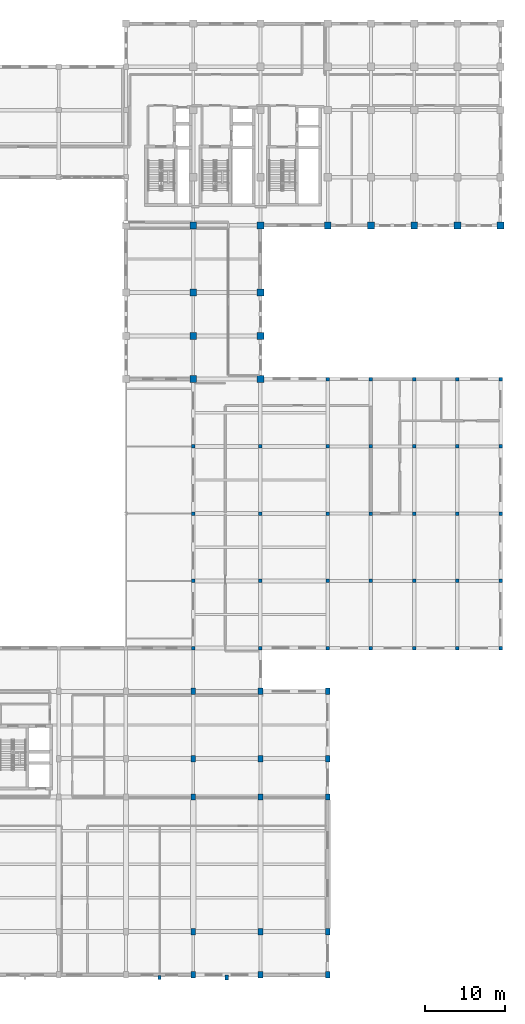
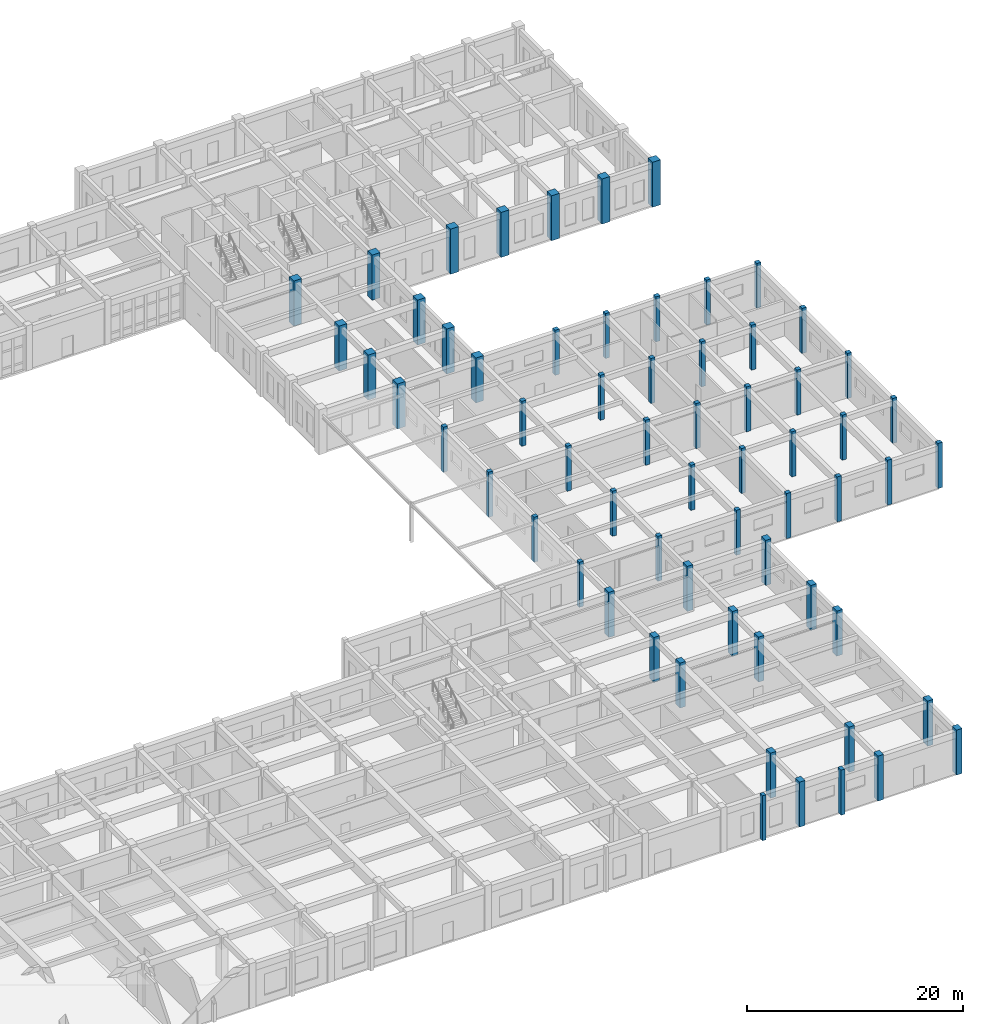
# One storey, part 14 of 80: 63 columns.
"""IFC4 building model written with IfcOpenShell, lengths in metres."""

from ifc_helpers import new_model, si_unit, direction, frame, origin, origin_2d, place, context, subcontext, project, spatial, rectangle, extrude, material, material_profile, profile_set, type_object, element, save


model = new_model("IFC4")

# Units and contexts
model_context = context("Model", 3, precision=1e-05, world=origin(), true_north=direction((0.0, 1.0)))
body_context = subcontext(model_context, "Body", "Model", "MODEL_VIEW")
ifc_project = project(units=[si_unit("LENGTHUNIT", "METRE"), si_unit("AREAUNIT", "SQUARE_METRE"), si_unit("VOLUMEUNIT", "CUBIC_METRE"), si_unit("PLANEANGLEUNIT", "RADIAN"), si_unit("MASSUNIT", "GRAM", prefix="KILO")], contexts=[model_context])

# Site, building, storey
site_placement = place(None, origin())
site = spatial("IfcSite", under=ifc_project, at=site_placement, CompositionType="ELEMENT")
building_placement = place(site_placement, origin())
building = spatial("IfcBuilding", under=site, at=building_placement, Name="Krzemoval Escarpment Law Courts", CompositionType="ELEMENT")
storey_placement = place(building_placement, origin())
storey = spatial("IfcBuildingStorey", under=building, at=storey_placement, Name="L00", CompositionType="ELEMENT", Elevation=0.0)

# Columns
ifc_material_1 = material(Name="Concrete C40/50", Category="concrete")
ifc_material_profile_1 = material_profile(ifc_material_1, rectangle(XDim=0.449951171875, YDim=0.449951171875, at=origin_2d()), Name="RC 450x450")
ifc_profile_set_1 = profile_set([ifc_material_profile_1], Name="Concrete C40/50")
column_type_1 = type_object("IfcColumnType", Name="COL-RC-450", PredefinedType="COLUMN", material=ifc_profile_set_1)
for number, where, z_axis, x_axis, name in (
    (1, (134.39990234375, 40.800048828125, 0.0), (0.0, 0.0, 1.0), (1.0, 0.0, 0.0), "Column FC-L00-0459"),
    (2, (134.39990234375, 49.199951171875, 0.0), (0.0, 0.0, 1.0), (1.0, 0.0, 0.0), "Column FC-L00-0460"),
    (3, (134.39990234375, 57.60009765625, 0.0), (0.0, 0.0, 1.0), (1.0, 0.0, 0.0), "Column FC-L00-0461"),
    (4, (134.39990234375, 66.0, 0.0), (0.0, 0.0, 1.0), (1.0, 0.0, 0.0), "Column FC-L00-0462"),
    (5, (142.800048828125, 40.800048828125, 0.0), (0.0, 0.0, 1.0), (1.0, 0.0, 0.0), "Column FC-L00-0476"),
    (6, (142.800048828125, 49.199951171875, 0.0), (0.0, 0.0, 1.0), (1.0, 0.0, 0.0), "Column FC-L00-0477"),
    (7, (142.800048828125, 57.60009765625, 0.0), (0.0, 0.0, 1.0), (1.0, 0.0, 0.0), "Column FC-L00-0478"),
    (8, (142.800048828125, 66.0, 0.0), (0.0, 0.0, 1.0), (1.0, 0.0, 0.0), "Column FC-L00-0479"),
    (9, (151.199951171875, 40.800048828125, 0.0), (0.0, 0.0, 1.0), (1.0, 0.0, 0.0), "Column FC-L00-0493"),
    (10, (151.199951171875, 49.199951171875, 0.0), (0.0, 0.0, 1.0), (1.0, 0.0, 0.0), "Column FC-L00-0494"),
    (11, (151.199951171875, 57.60009765625, 0.0), (0.0, 0.0, 1.0), (1.0, 0.0, 0.0), "Column FC-L00-0495"),
    (12, (151.199951171875, 66.0, 0.0), (0.0, 0.0, 1.0), (1.0, 0.0, 0.0), "Column FC-L00-0496"),
    (13, (151.199951171875, 74.39990234375, 0.0), (0.0, 0.0, 1.0), (1.0, 0.0, 0.0), "Column FC-L00-0497"),
    (14, (156.60009765625, 40.800048828125, 0.0), (0.0, 0.0, 1.0), (1.0, 0.0, 0.0), "Column FC-L00-0503"),
    (15, (156.60009765625, 49.199951171875, 0.0), (0.0, 0.0, 1.0), (1.0, 0.0, 0.0), "Column FC-L00-0504"),
    (16, (156.60009765625, 57.60009765625, 0.0), (0.0, 0.0, 1.0), (1.0, 0.0, 0.0), "Column FC-L00-0505"),
    (17, (156.60009765625, 66.0, 0.0), (0.0, 0.0, 1.0), (1.0, 0.0, 0.0), "Column FC-L00-0506"),
    (18, (156.60009765625, 74.39990234375, 0.0), (0.0, 0.0, 1.0), (1.0, 0.0, 0.0), "Column FC-L00-0507"),
    (19, (162.0, 40.800048828125, 0.0), (0.0, 0.0, 1.0), (1.0, 0.0, 0.0), "Column FC-L00-0513"),
    (20, (162.0, 49.199951171875, 0.0), (0.0, 0.0, 1.0), (1.0, 0.0, 0.0), "Column FC-L00-0514"),
    (21, (162.0, 57.60009765625, 0.0), (0.0, 0.0, 1.0), (1.0, 0.0, 0.0), "Column FC-L00-0515"),
    (22, (162.0, 66.0, 0.0), (0.0, 0.0, 1.0), (1.0, 0.0, 0.0), "Column FC-L00-0516"),
    (23, (162.0, 74.39990234375, 0.0), (0.0, 0.0, 1.0), (1.0, 0.0, 0.0), "Column FC-L00-0517"),
    (24, (167.39990234375, 40.800048828125, 0.0), (0.0, 0.0, 1.0), (1.0, 0.0, 0.0), "Column FC-L00-0523"),
    (25, (167.39990234375, 49.199951171875, 0.0), (0.0, 0.0, 1.0), (1.0, 0.0, 0.0), "Column FC-L00-0524"),
    (26, (167.39990234375, 57.60009765625, 0.0), (0.0, 0.0, 1.0), (1.0, 0.0, 0.0), "Column FC-L00-0525"),
    (27, (167.39990234375, 66.0, 0.0), (0.0, 0.0, 1.0), (1.0, 0.0, 0.0), "Column FC-L00-0526"),
    (28, (167.39990234375, 74.39990234375, 0.0), (0.0, 0.0, 1.0), (1.0, 0.0, 0.0), "Column FC-L00-0527"),
    (29, (172.800048828125, 40.800048828125, 0.0), (0.0, 0.0, 1.0), (1.0, 0.0, 0.0), "Column FC-L00-0533"),
    (30, (172.800048828125, 49.199951171875, 0.0), (0.0, 0.0, 1.0), (1.0, 0.0, 0.0), "Column FC-L00-0534"),
    (31, (172.800048828125, 57.60009765625, 0.0), (0.0, 0.0, 1.0), (1.0, 0.0, 0.0), "Column FC-L00-0535"),
    (32, (172.800048828125, 66.0, 0.0), (0.0, 0.0, 1.0), (1.0, 0.0, 0.0), "Column FC-L00-0536"),
    (33, (172.800048828125, 74.39990234375, 0.0), (0.0, 0.0, 1.0), (1.0, 0.0, 0.0), "Column FC-L00-0537"),
):
    element("IfcColumn", number, at=place(storey_placement, frame(where, z_axis=z_axis, x_axis=x_axis)), inside=storey, type_object=column_type_1, Name=name, PredefinedType="COLUMN", context=body_context, shape_type="SweptSolid", body=[
        extrude(rectangle(XDim=0.449951171875, YDim=0.449951171875, at=origin_2d()), origin(), (0.0, 0.0, 1.0), 5.10009765625),
    ])
ifc_material_2 = material(Name="Concrete C40/50", Category="concrete")
ifc_material_profile_2 = material_profile(ifc_material_2, rectangle(XDim=0.60009765625, YDim=0.800048828125, at=origin_2d()), Name="RC 600x800")
ifc_profile_set_2 = profile_set([ifc_material_profile_2], Name="Concrete C40/50")
column_type_2 = type_object("IfcColumnType", Name="COL-RC-600x800", PredefinedType="COLUMN", material=ifc_profile_set_2)
for number, where, z_axis, x_axis, name in (
    (34, (134.39990234375, 0.0, 0.0), (0.0, 0.0, 1.0), (1.0, 0.0, 0.0), "Column FC-L00-0454"),
    (35, (134.39990234375, 5.39990234375, 0.0), (0.0, 0.0, 1.0), (1.0, 0.0, 0.0), "Column FC-L00-0455"),
    (36, (134.39990234375, 22.199951171875, 0.0), (0.0, 0.0, 1.0), (1.0, 0.0, 0.0), "Column FC-L00-0456"),
    (37, (134.39990234375, 27.0, 0.0), (0.0, 0.0, 1.0), (1.0, 0.0, 0.0), "Column FC-L00-0457"),
    (38, (134.39990234375, 35.39990234375, 0.0), (0.0, 0.0, 1.0), (1.0, 0.0, 0.0), "Column FC-L00-0458"),
    (39, (142.800048828125, 0.0, 0.0), (0.0, 0.0, 1.0), (1.0, 0.0, 0.0), "Column FC-L00-0471"),
    (40, (142.800048828125, 5.39990234375, 0.0), (0.0, 0.0, 1.0), (1.0, 0.0, 0.0), "Column FC-L00-0472"),
    (41, (142.800048828125, 22.199951171875, 0.0), (0.0, 0.0, 1.0), (1.0, 0.0, 0.0), "Column FC-L00-0473"),
    (42, (142.800048828125, 27.0, 0.0), (0.0, 0.0, 1.0), (1.0, 0.0, 0.0), "Column FC-L00-0474"),
    (43, (142.800048828125, 35.39990234375, 0.0), (0.0, 0.0, 1.0), (1.0, 0.0, 0.0), "Column FC-L00-0475"),
    (44, (151.199951171875, 0.0, 0.0), (0.0, 0.0, 1.0), (1.0, 0.0, 0.0), "Column FC-L00-0488"),
    (45, (151.199951171875, 5.39990234375, 0.0), (0.0, 0.0, 1.0), (1.0, 0.0, 0.0), "Column FC-L00-0489"),
    (46, (151.199951171875, 22.199951171875, 0.0), (0.0, 0.0, 1.0), (1.0, 0.0, 0.0), "Column FC-L00-0490"),
    (47, (151.199951171875, 27.0, 0.0), (0.0, 0.0, 1.0), (1.0, 0.0, 0.0), "Column FC-L00-0491"),
    (48, (151.199951171875, 35.39990234375, 0.0), (0.0, 0.0, 1.0), (1.0, 0.0, 0.0), "Column FC-L00-0492"),
):
    element("IfcColumn", number, at=place(storey_placement, frame(where, z_axis=z_axis, x_axis=x_axis)), inside=storey, type_object=column_type_2, Name=name, PredefinedType="COLUMN", context=body_context, shape_type="SweptSolid", body=[
        extrude(rectangle(XDim=0.60009765625, YDim=0.800048828125, at=origin_2d()), origin(), (0.0, 0.0, 1.0), 5.10009765625),
    ])
ifc_material_3 = material(Name="Concrete C50/60", Category="concrete")
ifc_material_profile_3 = material_profile(ifc_material_3, rectangle(XDim=0.85009765625, YDim=0.85009765625, at=origin_2d()), Name="RC 850x850")
ifc_profile_set_3 = profile_set([ifc_material_profile_3], Name="Concrete C50/60")
column_type_3 = type_object("IfcColumnType", Name="COL-RC-850", PredefinedType="COLUMN", material=ifc_profile_set_3)
for number, where, z_axis, x_axis, name in (
    (49, (134.39990234375, 74.39990234375, 0.0), (0.0, 0.0, 1.0), (1.0, 0.0, 0.0), "Column FC-L00-0463"),
    (50, (134.39990234375, 79.800048828125, 0.0), (0.0, 0.0, 1.0), (1.0, 0.0, 0.0), "Column FC-L00-0464"),
    (51, (134.39990234375, 85.199951171875, 0.0), (0.0, 0.0, 1.0), (1.0, 0.0, 0.0), "Column FC-L00-0465"),
    (52, (134.39990234375, 93.60009765625, 0.0), (0.0, 0.0, 1.0), (1.0, 0.0, 0.0), "Column FC-L00-0466"),
    (53, (142.800048828125, 74.39990234375, 0.0), (0.0, 0.0, 1.0), (1.0, 0.0, 0.0), "Column FC-L00-0480"),
    (54, (142.800048828125, 79.800048828125, 0.0), (0.0, 0.0, 1.0), (1.0, 0.0, 0.0), "Column FC-L00-0481"),
    (55, (142.800048828125, 85.199951171875, 0.0), (0.0, 0.0, 1.0), (1.0, 0.0, 0.0), "Column FC-L00-0482"),
    (56, (142.800048828125, 93.60009765625, 0.0), (0.0, 0.0, 1.0), (1.0, 0.0, 0.0), "Column FC-L00-0483"),
    (57, (151.199951171875, 93.60009765625, 0.0), (0.0, 0.0, 1.0), (1.0, 0.0, 0.0), "Column FC-L00-0498"),
    (58, (156.60009765625, 93.60009765625, 0.0), (0.0, 0.0, 1.0), (1.0, 0.0, 0.0), "Column FC-L00-0508"),
    (59, (162.0, 93.60009765625, 0.0), (0.0, 0.0, 1.0), (1.0, 0.0, 0.0), "Column FC-L00-0518"),
    (60, (167.39990234375, 93.60009765625, 0.0), (0.0, 0.0, 1.0), (1.0, 0.0, 0.0), "Column FC-L00-0528"),
    (61, (172.800048828125, 93.60009765625, 0.0), (0.0, 0.0, 1.0), (1.0, 0.0, 0.0), "Column FC-L00-0538"),
):
    element("IfcColumn", number, at=place(storey_placement, frame(where, z_axis=z_axis, x_axis=x_axis)), inside=storey, type_object=column_type_3, Name=name, PredefinedType="COLUMN", context=body_context, shape_type="SweptSolid", body=[
        extrude(rectangle(XDim=0.85009765625, YDim=0.85009765625, at=origin_2d()), origin(), (0.0, 0.0, 1.0), 5.10009765625),
    ])
ifc_material_4 = material(Name="Precast concrete C40/50", Category="concrete")
ifc_material_profile_4 = material_profile(ifc_material_4, rectangle(XDim=0.35009765625, YDim=0.5, at=origin_2d()), Name="PIL 350x500")
ifc_profile_set_4 = profile_set([ifc_material_profile_4], Name="Precast concrete C40/50")
column_type_4 = type_object("IfcColumnType", Name="PIL-PC-350x500", PredefinedType="PILASTER", material=ifc_profile_set_4)
column_1_placement = place(storey_placement, frame((130.199951171875, -0.35009765625, 0.0), z_axis=(0.0, 0.0, 1.0), x_axis=(1.0, 0.0, 0.0)))
element("IfcColumn", 62, at=column_1_placement, inside=storey, type_object=column_type_4, Name="Facade Pilaster PIL-L00-052", PredefinedType="PILASTER", context=body_context, shape_type="SweptSolid", body=[
    extrude(rectangle(XDim=0.35009765625, YDim=0.5, at=origin_2d()), origin(), (0.0, 0.0, 1.0), 5.10009765625),
])
ifc_material_5 = material(Name="Precast concrete C40/50", Category="concrete")
ifc_material_profile_5 = material_profile(ifc_material_5, rectangle(XDim=0.39990234375, YDim=0.60009765625, at=origin_2d()), Name="PIL 400x600")
ifc_profile_set_5 = profile_set([ifc_material_profile_5], Name="Precast concrete C40/50")
column_type_5 = type_object("IfcColumnType", Name="PIL-PC-400x600", PredefinedType="PILASTER", material=ifc_profile_set_5)
column_2_placement = place(storey_placement, frame((138.60009765625, -0.35009765625, 0.0), z_axis=(0.0, 0.0, 1.0), x_axis=(1.0, 0.0, 0.0)))
element("IfcColumn", 63, at=column_2_placement, inside=storey, type_object=column_type_5, Name="Facade Pilaster PIL-L00-057", PredefinedType="PILASTER", context=body_context, shape_type="SweptSolid", body=[
    extrude(rectangle(XDim=0.39990234375, YDim=0.60009765625, at=origin_2d()), origin(), (0.0, 0.0, 1.0), 5.10009765625),
])

save(model, "model.ifc")
